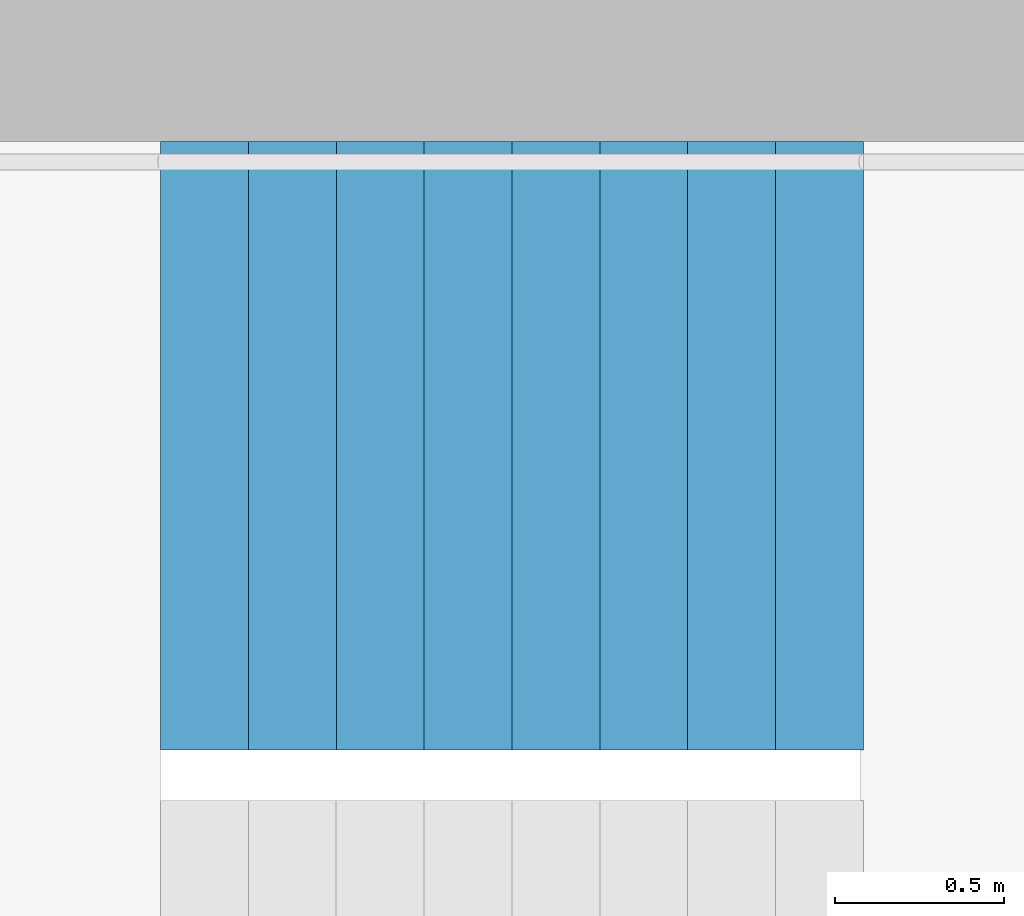
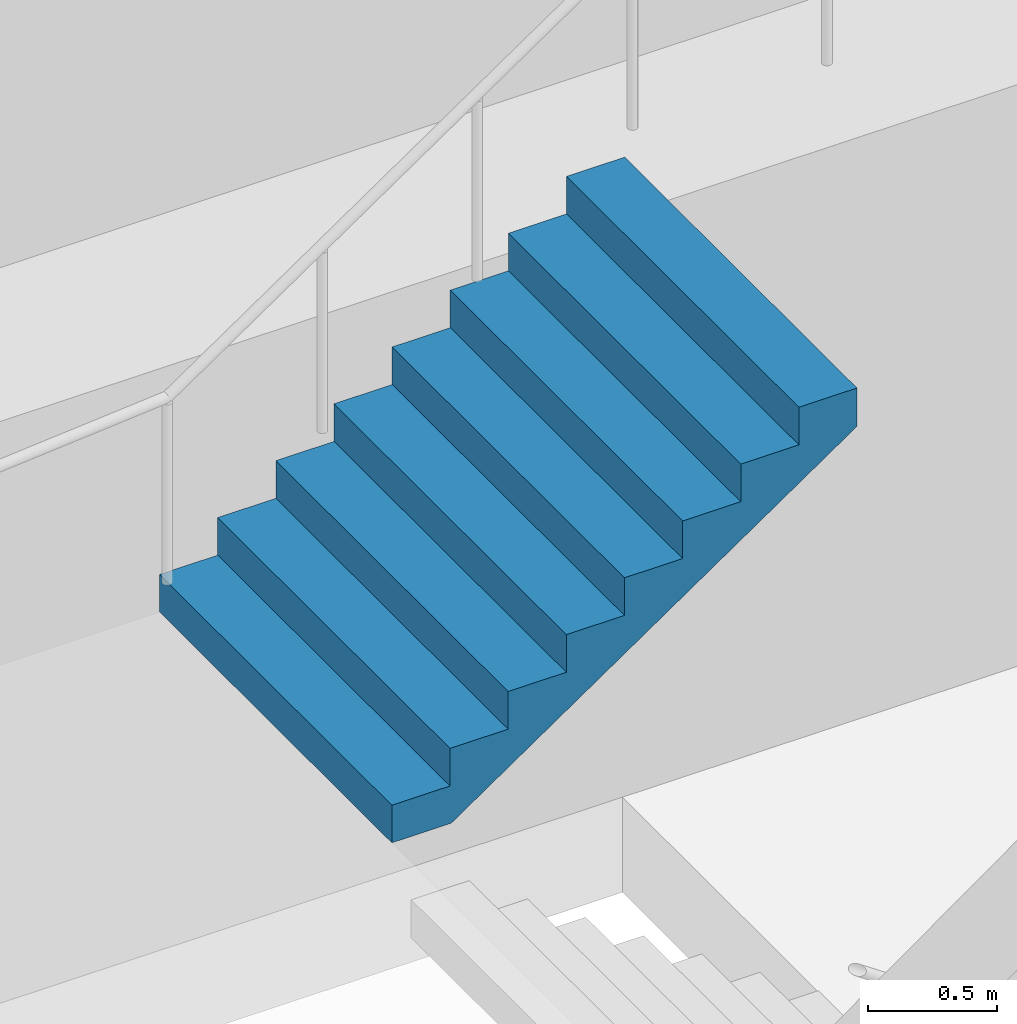
# One storey, part 25 of 26: 1 stair flight, 1 element without a shape of its own.
"""IFC4 building model written with IfcOpenShell, lengths in metres."""

import ifcopenshell
import ifcopenshell.guid

model = None  # the IFC model being written
_history = None  # IfcOwnerHistory: only IFC2X3 demands one
_inside = {}  # id of a spatial element -> (the spatial element, [elements in it])
_under = {}  # id of a project, library or spatial element -> (it, [spatial elements below it])
_declared = {}  # id of a project -> (the project, [libraries it declares])
_typed = {}  # id of a type object -> (the type object, [elements of that type])
_made_of = {}  # id of a material, layer set ... -> (it, [elements and type objects made of it])


def new_model(schema):
    """Start an empty IFC model of exactly this schema.

    Asked for "IFC4X3", IfcOpenShell would pick the latest addendum, in which some entities
    have other attributes; the version numbers below select the first issue.
    IFC2X3 requires an IfcOwnerHistory on every rooted entity: one is made here for all.
    """
    global model, _history
    if schema == "IFC4X3":
        model = ifcopenshell.file(schema_version=(4, 3, 0, 0))
    else:
        model = ifcopenshell.file(schema=schema)
    _inside.clear()
    _under.clear()
    _declared.clear()
    _typed.clear()
    _made_of.clear()
    _history = None
    if model.schema == "IFC2X3":
        org = make("IfcOrganization", Name="unknown")
        user = make(
            "IfcPersonAndOrganization",
            ThePerson=make("IfcPerson", FamilyName="unknown"),
            TheOrganization=org,
        )
        app = make(
            "IfcApplication",
            ApplicationDeveloper=org,
            Version="unknown",
            ApplicationFullName="unknown",
            ApplicationIdentifier="unknown",
        )
        _history = make(
            "IfcOwnerHistory",
            OwningUser=user,
            OwningApplication=app,
            ChangeAction="ADDED",
            CreationDate=0,
        )
    return model


def make(cls, **values):
    """One entity of the class cls with the attributes given. An attribute that is None is left unset."""
    return model.create_entity(
        cls, **{name: value for name, value in values.items() if value is not None}
    )


def rooted(cls, **values):
    """An entity with a GlobalId (a new one), such as an element, a storey or a relation."""
    return make(cls, GlobalId=ifcopenshell.guid.new(), OwnerHistory=_history, **values)


def si_unit(unit_type, name, prefix=None):
    """IfcSIUnit, for example si_unit("LENGTHUNIT", "METRE", prefix="MILLI")."""
    return make("IfcSIUnit", UnitType=unit_type, Prefix=prefix, Name=name)


def assignment(units):
    """IfcUnitAssignment: the units of a project."""
    return None if units is None else make("IfcUnitAssignment", Units=units)


def point(xyz):
    """IfcCartesianPoint."""
    return None if xyz is None else make("IfcCartesianPoint", Coordinates=xyz)


def direction(xyz):
    """IfcDirection."""
    return None if xyz is None else make("IfcDirection", DirectionRatios=xyz)


def frame(location, z_axis=None, x_axis=None):
    """IfcAxis2Placement3D, a coordinate frame: its origin and axes. An axis left out is left unset."""
    return make(
        "IfcAxis2Placement3D",
        Location=point(location),
        Axis=direction(z_axis),
        RefDirection=direction(x_axis),
    )


def origin():
    """The frame at (0, 0, 0) with its axes left unset."""
    return frame((0.0, 0.0, 0.0))


def place(relative_to, where):
    """IfcLocalPlacement: puts the frame where relative to a parent placement (None: the world)."""
    return make(
        "IfcLocalPlacement", PlacementRelTo=relative_to, RelativePlacement=where
    )


def context(
    kind, dimensions, precision=None, world=None, true_north=None, identifier=None
):
    """IfcGeometricRepresentationContext, for example the 3D "Model" context."""
    return make(
        "IfcGeometricRepresentationContext",
        ContextIdentifier=identifier,
        ContextType=kind,
        CoordinateSpaceDimension=dimensions,
        Precision=precision,
        WorldCoordinateSystem=world,
        TrueNorth=true_north,
    )


def subcontext(parent, identifier, kind, view, scale=None):
    """IfcGeometricRepresentationSubContext, for example "Body" below "Model"."""
    return make(
        "IfcGeometricRepresentationSubContext",
        ContextIdentifier=identifier,
        ContextType=kind,
        ParentContext=parent,
        TargetScale=scale,
        TargetView=view,
    )


def project(units=None, contexts=None):
    """IfcProject with its units and contexts."""
    return rooted(
        "IfcProject",
        Name="project",
        RepresentationContexts=contexts,
        UnitsInContext=assignment(units),
    )


def spatial(cls, under=None, at=None, **own):
    """A site, building, storey or space (cls), placed at a placement, below another one or the project."""
    s = rooted(cls, ObjectPlacement=at, **own)
    if under is not None:
        _under.setdefault(under.id(), (under, []))[1].append(s)
    return s


def point_list(points):
    """IfcCartesianPointList2D or 3D."""
    cls = (
        "IfcCartesianPointList2D" if len(points[0]) == 2 else "IfcCartesianPointList3D"
    )
    return make(cls, CoordList=points)


def triangles(points, corners, closed=None, point_numbers=None):
    """IfcTriangulatedFaceSet: each triangle names its three corners, points numbered from 1."""
    return make(
        "IfcTriangulatedFaceSet",
        Coordinates=point_list(points),
        Closed=closed,
        CoordIndex=corners,
        PnIndex=point_numbers,
    )


def shape(context_of_items, identifier, shape_type, items):
    """IfcShapeRepresentation: the items that make up one representation, for example the "Body"."""
    return make(
        "IfcShapeRepresentation",
        ContextOfItems=context_of_items,
        RepresentationIdentifier=identifier,
        RepresentationType=shape_type,
        Items=items,
    )


def material(Name=None, Category=None):
    """IfcMaterial."""
    return make("IfcMaterial", Name=Name, Category=Category)


def made_of(thing, what):
    """Note that an element or type object is made of a material, layer set ...; save() writes the relation."""
    if what is not None:
        _made_of.setdefault(what.id(), (what, []))[1].append(thing)
    return thing


def type_object(cls, material=None, **own):
    """A type object (cls), such as IfcWallType, which elements share."""
    return made_of(rooted(cls, **own), material)


def element(
    cls,
    number,
    at=None,
    inside=None,
    cuts=None,
    type_object=None,
    material=None,
    context=None,
    identifier="Body",
    shape_type=None,
    held_by="IfcProductDefinitionShape",
    body=None,
    shapes=None,
    **own,
):
    """One element of the class cls, such as IfcWall. Its Tag is "e" and its number.

    at: its placement. inside: the storey or other place that contains it. cuts: it is an
    opening in that element (IfcRelVoidsElement). A single representation is given by context,
    identifier, shape_type and body (its items); several are given by shapes. held_by: the class
    of the entity that holds the representations. save() writes the other relations.
    """
    e = rooted(cls, Tag="e%d" % number, ObjectPlacement=at, **own)
    if body is not None:
        shapes = [shape(context, identifier, shape_type, body)]
    if shapes is not None:
        e.Representation = make(held_by, Representations=shapes)
    if inside is not None:
        _inside.setdefault(inside.id(), (inside, []))[1].append(e)
    if cuts is not None:
        rooted(
            "IfcRelVoidsElement", RelatingBuildingElement=cuts, RelatedOpeningElement=e
        )
    if type_object is not None:
        _typed.setdefault(type_object.id(), (type_object, []))[1].append(e)
    return made_of(e, material)


def aggregate(whole, parts):
    """IfcRelAggregates: a whole, such as a stair, and the parts it consists of."""
    return rooted("IfcRelAggregates", RelatingObject=whole, RelatedObjects=parts)


def save(model, path):
    """Write the relations noted so far, then the file.

    IfcRelAggregates (storeys below a building ...), IfcRelContainedInSpatialStructure (elements
    in a storey), IfcRelDefinesByType, IfcRelAssociatesMaterial and IfcRelDeclares: one each for
    every whole, place, type object, material and project.
    """
    for whole, parts in _under.values():
        aggregate(whole, parts)
    for where, things in _inside.values():
        rooted(
            "IfcRelContainedInSpatialStructure",
            RelatedElements=things,
            RelatingStructure=where,
        )
    for kind, things in _typed.values():
        rooted("IfcRelDefinesByType", RelatedObjects=things, RelatingType=kind)
    for what, things in _made_of.values():
        rooted("IfcRelAssociatesMaterial", RelatedObjects=things, RelatingMaterial=what)
    for by, libraries in _declared.values():
        rooted("IfcRelDeclares", RelatingContext=by, RelatedDefinitions=libraries)
    model.write(path)


model = new_model("IFC4")

# Units and contexts
model_context = context("Model", 3, precision=1e-05, world=origin(), true_north=direction((0.0, 1.0)))
body_context = subcontext(model_context, "Body", "Model", "MODEL_VIEW")
ifc_project = project(units=[si_unit("LENGTHUNIT", "METRE"), si_unit("AREAUNIT", "SQUARE_METRE"), si_unit("VOLUMEUNIT", "CUBIC_METRE"), si_unit("PLANEANGLEUNIT", "RADIAN"), si_unit("MASSUNIT", "GRAM", prefix="KILO")], contexts=[model_context])

# Site, building, storey
site_placement = place(None, origin())
site = spatial("IfcSite", under=ifc_project, at=site_placement, CompositionType="ELEMENT")
building_placement = place(site_placement, origin())
building = spatial("IfcBuilding", under=site, at=building_placement, Name="Hakoniwa Tower and Hamabe Station Hall", CompositionType="ELEMENT")
storey_placement = place(building_placement, frame((0.0, 0.0, 153.39990234375)))
storey = spatial("IfcBuildingStorey", under=building, at=storey_placement, Name="L43", CompositionType="ELEMENT", Elevation=153.39990234375)

# Stair, stair flight
ifc_material_1 = material(Name="Concrete C40", Category="concrete")
stair_type = type_object("IfcStairType", Name="ESCAPE STAIR 1800", PredefinedType="HALF_TURN_STAIR", material=ifc_material_1)
stair_placement = place(storey_placement, origin())
stair = element("IfcStair", 1, at=stair_placement, inside=storey, type_object=stair_type, Name="Escape stair ST-3 L43", PredefinedType="HALF_TURN_STAIR")
ifc_material_2 = material(Name="Concrete C40", Category="concrete")
stair_flight_type = type_object("IfcStairFlightType", Name="STAIR FLIGHT 1800", PredefinedType="STRAIGHT", material=ifc_material_2)
stair_flight_placement = place(storey_placement, frame((22.320068359375, 6.60009765625, 1.60009765625), z_axis=(0.0, 0.0, 1.0), x_axis=(1.0, 0.0, 0.0)))
stair_flight = element("IfcStairFlight", 2, at=stair_flight_placement, type_object=stair_flight_type, Name="ST-3 flight 2", NumberOfRisers=9, NumberOfTreads=8, PredefinedType="STRAIGHT", RiserHeight=0.177777778, TreadLength=0.26, context=body_context, shape_type="Tessellation", body=[
    triangles([(0.0, 0.89990234375, 0.0), (0.260009765625, 0.89990234375, 0.0), (0.265625, 0.89990234375, 0.0), (0.52001953125, 0.89990234375, 0.174072265625), (0.780029296875, 0.89990234375, 0.351806640625), (1.0400390625, 0.89990234375, 0.529541015625), (1.300048828125, 0.89990234375, 0.707275390625), (1.56005859375, 0.89990234375, 0.885009765625), (1.820068359375, 0.89990234375, 1.062744140625), (2.080078125, 0.89990234375, 1.24072265625), (2.080078125, 0.89990234375, 1.422119140625), (1.820068359375, 0.89990234375, 1.422119140625), (1.820068359375, 0.89990234375, 1.244384765625), (1.56005859375, 0.89990234375, 1.244384765625), (1.56005859375, 0.89990234375, 1.066650390625), (1.300048828125, 0.89990234375, 1.066650390625), (1.300048828125, 0.89990234375, 0.888916015625), (1.0400390625, 0.89990234375, 0.888916015625), (1.0400390625, 0.89990234375, 0.711181640625), (0.780029296875, 0.89990234375, 0.711181640625), (0.780029296875, 0.89990234375, 0.533447265625), (0.52001953125, 0.89990234375, 0.533447265625), (0.52001953125, 0.89990234375, 0.35546875), (0.265625, 0.89990234375, 0.35546875), (0.260009765625, 0.89990234375, 0.35546875), (0.260009765625, 0.89990234375, 0.177734375), (0.0, 0.89990234375, 0.177734375), (0.0, 0.06005859375, 0.0), (0.260009765625, 0.06005859375, 0.0), (0.265625, 0.06005859375, 0.0), (0.52001953125, 0.06005859375, 0.174072265625), (0.780029296875, 0.06005859375, 0.351806640625), (1.0400390625, 0.06005859375, 0.529541015625), (1.300048828125, 0.06005859375, 0.707275390625), (1.56005859375, 0.06005859375, 0.885009765625), (1.820068359375, 0.06005859375, 1.062744140625), (2.080078125, 0.06005859375, 1.24072265625), (2.080078125, 0.06005859375, 1.422119140625), (1.820068359375, 0.06005859375, 1.422119140625), (1.820068359375, 0.06005859375, 1.244384765625), (1.56005859375, 0.06005859375, 1.244384765625), (1.56005859375, 0.06005859375, 1.066650390625), (1.300048828125, 0.06005859375, 1.066650390625), (1.300048828125, 0.06005859375, 0.888916015625), (1.0400390625, 0.06005859375, 0.888916015625), (1.0400390625, 0.06005859375, 0.711181640625), (0.780029296875, 0.06005859375, 0.711181640625), (0.780029296875, 0.06005859375, 0.533447265625), (0.52001953125, 0.06005859375, 0.533447265625), (0.52001953125, 0.06005859375, 0.35546875), (0.265625, 0.06005859375, 0.35546875), (0.260009765625, 0.06005859375, 0.35546875), (0.260009765625, 0.06005859375, 0.177734375), (0.0, 0.06005859375, 0.177734375), (0.0, 0.04296875, 0.0), (0.260009765625, 0.04296875, 0.0), (0.265625, 0.04296875, 0.0), (0.52001953125, 0.04296875, 0.174072265625), (0.780029296875, 0.04296875, 0.351806640625), (1.0400390625, 0.04296875, 0.529541015625), (1.300048828125, 0.04296875, 0.707275390625), (1.56005859375, 0.04296875, 0.885009765625), (1.820068359375, 0.04296875, 1.062744140625), (2.080078125, 0.04296875, 1.24072265625), (2.080078125, 0.04296875, 1.422119140625), (1.820068359375, 0.04296875, 1.422119140625), (1.820068359375, 0.04296875, 1.244384765625), (1.56005859375, 0.04296875, 1.244384765625), (1.56005859375, 0.04296875, 1.066650390625), (1.300048828125, 0.04296875, 1.066650390625), (1.300048828125, 0.04296875, 0.888916015625), (1.0400390625, 0.04296875, 0.888916015625), (1.0400390625, 0.04296875, 0.711181640625), (0.780029296875, 0.04296875, 0.711181640625), (0.780029296875, 0.04296875, 0.533447265625), (0.52001953125, 0.04296875, 0.533447265625), (0.52001953125, 0.04296875, 0.35546875), (0.265625, 0.04296875, 0.35546875), (0.260009765625, 0.04296875, 0.35546875), (0.260009765625, 0.04296875, 0.177734375), (0.0, 0.04296875, 0.177734375), (0.0, 0.025634765625, 0.0), (0.260009765625, 0.025634765625, 0.0), (0.265625, 0.025634765625, 0.0), (0.52001953125, 0.025634765625, 0.174072265625), (0.780029296875, 0.025634765625, 0.351806640625), (1.0400390625, 0.025634765625, 0.529541015625), (1.300048828125, 0.025634765625, 0.707275390625), (1.56005859375, 0.025634765625, 0.885009765625), (1.820068359375, 0.025634765625, 1.062744140625), (2.080078125, 0.025634765625, 1.24072265625), (2.080078125, 0.025634765625, 1.422119140625), (1.820068359375, 0.025634765625, 1.422119140625), (1.820068359375, 0.025634765625, 1.244384765625), (1.56005859375, 0.025634765625, 1.244384765625), (1.56005859375, 0.025634765625, 1.066650390625), (1.300048828125, 0.025634765625, 1.066650390625), (1.300048828125, 0.025634765625, 0.888916015625), (1.0400390625, 0.025634765625, 0.888916015625), (1.0400390625, 0.025634765625, 0.711181640625), (0.780029296875, 0.025634765625, 0.711181640625), (0.780029296875, 0.025634765625, 0.533447265625), (0.52001953125, 0.025634765625, 0.533447265625), (0.52001953125, 0.025634765625, 0.35546875), (0.265625, 0.025634765625, 0.35546875), (0.260009765625, 0.025634765625, 0.35546875), (0.260009765625, 0.025634765625, 0.177734375), (0.0, 0.025634765625, 0.177734375), (0.0, 0.008544921875, 0.0), (0.260009765625, 0.008544921875, 0.0), (0.265625, 0.008544921875, 0.0), (0.52001953125, 0.008544921875, 0.174072265625), (0.780029296875, 0.008544921875, 0.351806640625), (1.0400390625, 0.008544921875, 0.529541015625), (1.300048828125, 0.008544921875, 0.707275390625), (1.56005859375, 0.008544921875, 0.885009765625), (1.820068359375, 0.008544921875, 1.062744140625), (2.080078125, 0.008544921875, 1.24072265625), (2.080078125, 0.008544921875, 1.422119140625), (1.820068359375, 0.008544921875, 1.422119140625), (1.820068359375, 0.008544921875, 1.244384765625), (1.56005859375, 0.008544921875, 1.244384765625), (1.56005859375, 0.008544921875, 1.066650390625), (1.300048828125, 0.008544921875, 1.066650390625), (1.300048828125, 0.008544921875, 0.888916015625), (1.0400390625, 0.008544921875, 0.888916015625), (1.0400390625, 0.008544921875, 0.711181640625), (0.780029296875, 0.008544921875, 0.711181640625), (0.780029296875, 0.008544921875, 0.533447265625), (0.52001953125, 0.008544921875, 0.533447265625), (0.52001953125, 0.008544921875, 0.35546875), (0.265625, 0.008544921875, 0.35546875), (0.260009765625, 0.008544921875, 0.35546875), (0.260009765625, 0.008544921875, 0.177734375), (0.0, 0.008544921875, 0.177734375), (0.0, -0.008544921875, 0.0), (0.260009765625, -0.008544921875, 0.0), (0.265625, -0.008544921875, 0.0), (0.52001953125, -0.008544921875, 0.174072265625), (0.780029296875, -0.008544921875, 0.351806640625), (1.0400390625, -0.008544921875, 0.529541015625), (1.300048828125, -0.008544921875, 0.707275390625), (1.56005859375, -0.008544921875, 0.885009765625), (1.820068359375, -0.008544921875, 1.062744140625), (2.080078125, -0.008544921875, 1.24072265625), (2.080078125, -0.008544921875, 1.422119140625), (1.820068359375, -0.008544921875, 1.422119140625), (1.820068359375, -0.008544921875, 1.244384765625), (1.56005859375, -0.008544921875, 1.244384765625), (1.56005859375, -0.008544921875, 1.066650390625), (1.300048828125, -0.008544921875, 1.066650390625), (1.300048828125, -0.008544921875, 0.888916015625), (1.0400390625, -0.008544921875, 0.888916015625), (1.0400390625, -0.008544921875, 0.711181640625), (0.780029296875, -0.008544921875, 0.711181640625), (0.780029296875, -0.008544921875, 0.533447265625), (0.52001953125, -0.008544921875, 0.533447265625), (0.52001953125, -0.008544921875, 0.35546875), (0.265625, -0.008544921875, 0.35546875), (0.260009765625, -0.008544921875, 0.35546875), (0.260009765625, -0.008544921875, 0.177734375), (0.0, -0.008544921875, 0.177734375), (0.0, -0.025634765625, 0.0), (0.260009765625, -0.025634765625, 0.0), (0.265625, -0.025634765625, 0.0), (0.52001953125, -0.025634765625, 0.174072265625), (0.780029296875, -0.025634765625, 0.351806640625), (1.0400390625, -0.025634765625, 0.529541015625), (1.300048828125, -0.025634765625, 0.707275390625), (1.56005859375, -0.025634765625, 0.885009765625), (1.820068359375, -0.025634765625, 1.062744140625), (2.080078125, -0.025634765625, 1.24072265625), (2.080078125, -0.025634765625, 1.422119140625), (1.820068359375, -0.025634765625, 1.422119140625), (1.820068359375, -0.025634765625, 1.244384765625), (1.56005859375, -0.025634765625, 1.244384765625), (1.56005859375, -0.025634765625, 1.066650390625), (1.300048828125, -0.025634765625, 1.066650390625), (1.300048828125, -0.025634765625, 0.888916015625), (1.0400390625, -0.025634765625, 0.888916015625), (1.0400390625, -0.025634765625, 0.711181640625), (0.780029296875, -0.025634765625, 0.711181640625), (0.780029296875, -0.025634765625, 0.533447265625), (0.52001953125, -0.025634765625, 0.533447265625), (0.52001953125, -0.025634765625, 0.35546875), (0.265625, -0.025634765625, 0.35546875), (0.260009765625, -0.025634765625, 0.35546875), (0.260009765625, -0.025634765625, 0.177734375), (0.0, -0.025634765625, 0.177734375), (0.0, -0.04296875, 0.0), (0.260009765625, -0.04296875, 0.0), (0.265625, -0.04296875, 0.0), (0.52001953125, -0.04296875, 0.174072265625), (0.780029296875, -0.04296875, 0.351806640625), (1.0400390625, -0.04296875, 0.529541015625), (1.300048828125, -0.04296875, 0.707275390625), (1.56005859375, -0.04296875, 0.885009765625), (1.820068359375, -0.04296875, 1.062744140625), (2.080078125, -0.04296875, 1.24072265625), (2.080078125, -0.04296875, 1.422119140625), (1.820068359375, -0.04296875, 1.422119140625), (1.820068359375, -0.04296875, 1.244384765625), (1.56005859375, -0.04296875, 1.244384765625), (1.56005859375, -0.04296875, 1.066650390625), (1.300048828125, -0.04296875, 1.066650390625), (1.300048828125, -0.04296875, 0.888916015625), (1.0400390625, -0.04296875, 0.888916015625), (1.0400390625, -0.04296875, 0.711181640625), (0.780029296875, -0.04296875, 0.711181640625), (0.780029296875, -0.04296875, 0.533447265625), (0.52001953125, -0.04296875, 0.533447265625), (0.52001953125, -0.04296875, 0.35546875), (0.265625, -0.04296875, 0.35546875), (0.260009765625, -0.04296875, 0.35546875), (0.260009765625, -0.04296875, 0.177734375), (0.0, -0.04296875, 0.177734375), (0.0, -0.06005859375, 0.0), (0.260009765625, -0.06005859375, 0.0), (0.265625, -0.06005859375, 0.0), (0.52001953125, -0.06005859375, 0.174072265625), (0.780029296875, -0.06005859375, 0.351806640625), (1.0400390625, -0.06005859375, 0.529541015625), (1.300048828125, -0.06005859375, 0.707275390625), (1.56005859375, -0.06005859375, 0.885009765625), (1.820068359375, -0.06005859375, 1.062744140625), (2.080078125, -0.06005859375, 1.24072265625), (2.080078125, -0.06005859375, 1.422119140625), (1.820068359375, -0.06005859375, 1.422119140625), (1.820068359375, -0.06005859375, 1.244384765625), (1.56005859375, -0.06005859375, 1.244384765625), (1.56005859375, -0.06005859375, 1.066650390625), (1.300048828125, -0.06005859375, 1.066650390625), (1.300048828125, -0.06005859375, 0.888916015625), (1.0400390625, -0.06005859375, 0.888916015625), (1.0400390625, -0.06005859375, 0.711181640625), (0.780029296875, -0.06005859375, 0.711181640625), (0.780029296875, -0.06005859375, 0.533447265625), (0.52001953125, -0.06005859375, 0.533447265625), (0.52001953125, -0.06005859375, 0.35546875), (0.265625, -0.06005859375, 0.35546875), (0.260009765625, -0.06005859375, 0.35546875), (0.260009765625, -0.06005859375, 0.177734375), (0.0, -0.06005859375, 0.177734375), (0.0, -0.89990234375, 0.0), (0.260009765625, -0.89990234375, 0.0), (0.265625, -0.89990234375, 0.0), (0.52001953125, -0.89990234375, 0.174072265625), (0.780029296875, -0.89990234375, 0.351806640625), (1.0400390625, -0.89990234375, 0.529541015625), (1.300048828125, -0.89990234375, 0.707275390625), (1.56005859375, -0.89990234375, 0.885009765625), (1.820068359375, -0.89990234375, 1.062744140625), (2.080078125, -0.89990234375, 1.24072265625), (2.080078125, -0.89990234375, 1.422119140625), (1.820068359375, -0.89990234375, 1.422119140625), (1.820068359375, -0.89990234375, 1.244384765625), (1.56005859375, -0.89990234375, 1.244384765625), (1.56005859375, -0.89990234375, 1.066650390625), (1.300048828125, -0.89990234375, 1.066650390625), (1.300048828125, -0.89990234375, 0.888916015625), (1.0400390625, -0.89990234375, 0.888916015625), (1.0400390625, -0.89990234375, 0.711181640625), (0.780029296875, -0.89990234375, 0.711181640625), (0.780029296875, -0.89990234375, 0.533447265625), (0.52001953125, -0.89990234375, 0.533447265625), (0.52001953125, -0.89990234375, 0.35546875), (0.265625, -0.89990234375, 0.35546875), (0.260009765625, -0.89990234375, 0.35546875), (0.260009765625, -0.89990234375, 0.177734375), (0.0, -0.89990234375, 0.177734375)], [[2, 27, 26], [245, 269, 270], [2, 1, 27], [245, 270, 244], [3, 25, 24], [246, 267, 268], [3, 26, 25], [246, 268, 269], [3, 2, 26], [246, 269, 245], [4, 24, 23], [247, 266, 267], [4, 3, 24], [247, 267, 246], [5, 22, 21], [248, 264, 265], [5, 23, 22], [248, 265, 266], [5, 4, 23], [248, 266, 247], [6, 20, 19], [249, 262, 263], [6, 21, 20], [249, 263, 264], [6, 5, 21], [249, 264, 248], [7, 18, 17], [250, 260, 261], [7, 19, 18], [250, 261, 262], [7, 6, 19], [250, 262, 249], [8, 16, 15], [251, 258, 259], [8, 17, 16], [251, 259, 260], [8, 7, 17], [251, 260, 250], [9, 14, 13], [252, 256, 257], [9, 15, 14], [252, 257, 258], [9, 8, 15], [252, 258, 251], [10, 12, 11], [253, 254, 255], [10, 13, 12], [253, 255, 256], [10, 9, 13], [253, 256, 252], [1, 2, 29], [1, 29, 28], [28, 29, 56], [28, 56, 55], [55, 56, 83], [55, 83, 82], [82, 83, 110], [82, 110, 109], [109, 110, 137], [109, 137, 136], [136, 137, 164], [136, 164, 163], [163, 164, 191], [163, 191, 190], [190, 191, 218], [190, 218, 217], [217, 218, 245], [217, 245, 244], [2, 3, 30], [2, 30, 29], [29, 30, 57], [29, 57, 56], [56, 57, 84], [56, 84, 83], [83, 84, 111], [83, 111, 110], [110, 111, 138], [110, 138, 137], [137, 138, 165], [137, 165, 164], [164, 165, 192], [164, 192, 191], [191, 192, 219], [191, 219, 218], [218, 219, 246], [218, 246, 245], [3, 4, 31], [3, 31, 30], [30, 31, 58], [30, 58, 57], [57, 58, 85], [57, 85, 84], [84, 85, 112], [84, 112, 111], [111, 112, 139], [111, 139, 138], [138, 139, 166], [138, 166, 165], [165, 166, 193], [165, 193, 192], [192, 193, 220], [192, 220, 219], [219, 220, 247], [219, 247, 246], [4, 5, 32], [4, 32, 31], [31, 32, 59], [31, 59, 58], [58, 59, 86], [58, 86, 85], [85, 86, 113], [85, 113, 112], [112, 113, 140], [112, 140, 139], [139, 140, 167], [139, 167, 166], [166, 167, 194], [166, 194, 193], [193, 194, 221], [193, 221, 220], [220, 221, 248], [220, 248, 247], [5, 6, 33], [5, 33, 32], [32, 33, 60], [32, 60, 59], [59, 60, 87], [59, 87, 86], [86, 87, 114], [86, 114, 113], [113, 114, 141], [113, 141, 140], [140, 141, 168], [140, 168, 167], [167, 168, 195], [167, 195, 194], [194, 195, 222], [194, 222, 221], [221, 222, 249], [221, 249, 248], [6, 7, 34], [6, 34, 33], [33, 34, 61], [33, 61, 60], [60, 61, 88], [60, 88, 87], [87, 88, 115], [87, 115, 114], [114, 115, 142], [114, 142, 141], [141, 142, 169], [141, 169, 168], [168, 169, 196], [168, 196, 195], [195, 196, 223], [195, 223, 222], [222, 223, 250], [222, 250, 249], [7, 8, 35], [7, 35, 34], [34, 35, 62], [34, 62, 61], [61, 62, 89], [61, 89, 88], [88, 89, 116], [88, 116, 115], [115, 116, 143], [115, 143, 142], [142, 143, 170], [142, 170, 169], [169, 170, 197], [169, 197, 196], [196, 197, 224], [196, 224, 223], [223, 224, 251], [223, 251, 250], [8, 9, 36], [8, 36, 35], [35, 36, 63], [35, 63, 62], [62, 63, 90], [62, 90, 89], [89, 90, 117], [89, 117, 116], [116, 117, 144], [116, 144, 143], [143, 144, 171], [143, 171, 170], [170, 171, 198], [170, 198, 197], [197, 198, 225], [197, 225, 224], [224, 225, 252], [224, 252, 251], [9, 10, 37], [9, 37, 36], [36, 37, 64], [36, 64, 63], [63, 64, 91], [63, 91, 90], [90, 91, 118], [90, 118, 117], [117, 118, 145], [117, 145, 144], [144, 145, 172], [144, 172, 171], [171, 172, 199], [171, 199, 198], [198, 199, 226], [198, 226, 225], [225, 226, 253], [225, 253, 252], [10, 11, 38], [10, 38, 37], [37, 38, 65], [37, 65, 64], [64, 65, 92], [64, 92, 91], [91, 92, 119], [91, 119, 118], [118, 119, 146], [118, 146, 145], [145, 146, 173], [145, 173, 172], [172, 173, 200], [172, 200, 199], [199, 200, 227], [199, 227, 226], [226, 227, 254], [226, 254, 253], [11, 12, 39], [11, 39, 38], [38, 39, 66], [38, 66, 65], [65, 66, 93], [65, 93, 92], [92, 93, 120], [92, 120, 119], [119, 120, 147], [119, 147, 146], [146, 147, 174], [146, 174, 173], [173, 174, 201], [173, 201, 200], [200, 201, 228], [200, 228, 227], [227, 228, 255], [227, 255, 254], [12, 13, 40], [12, 40, 39], [39, 40, 67], [39, 67, 66], [66, 67, 94], [66, 94, 93], [93, 94, 121], [93, 121, 120], [120, 121, 148], [120, 148, 147], [147, 148, 175], [147, 175, 174], [174, 175, 202], [174, 202, 201], [201, 202, 229], [201, 229, 228], [228, 229, 256], [228, 256, 255], [13, 14, 41], [13, 41, 40], [40, 41, 68], [40, 68, 67], [67, 68, 95], [67, 95, 94], [94, 95, 122], [94, 122, 121], [121, 122, 149], [121, 149, 148], [148, 149, 176], [148, 176, 175], [175, 176, 203], [175, 203, 202], [202, 203, 230], [202, 230, 229], [229, 230, 257], [229, 257, 256], [14, 15, 42], [14, 42, 41], [41, 42, 69], [41, 69, 68], [68, 69, 96], [68, 96, 95], [95, 96, 123], [95, 123, 122], [122, 123, 150], [122, 150, 149], [149, 150, 177], [149, 177, 176], [176, 177, 204], [176, 204, 203], [203, 204, 231], [203, 231, 230], [230, 231, 258], [230, 258, 257], [15, 16, 43], [15, 43, 42], [42, 43, 70], [42, 70, 69], [69, 70, 97], [69, 97, 96], [96, 97, 124], [96, 124, 123], [123, 124, 151], [123, 151, 150], [150, 151, 178], [150, 178, 177], [177, 178, 205], [177, 205, 204], [204, 205, 232], [204, 232, 231], [231, 232, 259], [231, 259, 258], [16, 17, 44], [16, 44, 43], [43, 44, 71], [43, 71, 70], [70, 71, 98], [70, 98, 97], [97, 98, 125], [97, 125, 124], [124, 125, 152], [124, 152, 151], [151, 152, 179], [151, 179, 178], [178, 179, 206], [178, 206, 205], [205, 206, 233], [205, 233, 232], [232, 233, 260], [232, 260, 259], [17, 18, 45], [17, 45, 44], [44, 45, 72], [44, 72, 71], [71, 72, 99], [71, 99, 98], [98, 99, 126], [98, 126, 125], [125, 126, 153], [125, 153, 152], [152, 153, 180], [152, 180, 179], [179, 180, 207], [179, 207, 206], [206, 207, 234], [206, 234, 233], [233, 234, 261], [233, 261, 260], [18, 19, 46], [18, 46, 45], [45, 46, 73], [45, 73, 72], [72, 73, 100], [72, 100, 99], [99, 100, 127], [99, 127, 126], [126, 127, 154], [126, 154, 153], [153, 154, 181], [153, 181, 180], [180, 181, 208], [180, 208, 207], [207, 208, 235], [207, 235, 234], [234, 235, 262], [234, 262, 261], [19, 20, 47], [19, 47, 46], [46, 47, 74], [46, 74, 73], [73, 74, 101], [73, 101, 100], [100, 101, 128], [100, 128, 127], [127, 128, 155], [127, 155, 154], [154, 155, 182], [154, 182, 181], [181, 182, 209], [181, 209, 208], [208, 209, 236], [208, 236, 235], [235, 236, 263], [235, 263, 262], [20, 21, 48], [20, 48, 47], [47, 48, 75], [47, 75, 74], [74, 75, 102], [74, 102, 101], [101, 102, 129], [101, 129, 128], [128, 129, 156], [128, 156, 155], [155, 156, 183], [155, 183, 182], [182, 183, 210], [182, 210, 209], [209, 210, 237], [209, 237, 236], [236, 237, 264], [236, 264, 263], [21, 22, 49], [21, 49, 48], [48, 49, 76], [48, 76, 75], [75, 76, 103], [75, 103, 102], [102, 103, 130], [102, 130, 129], [129, 130, 157], [129, 157, 156], [156, 157, 184], [156, 184, 183], [183, 184, 211], [183, 211, 210], [210, 211, 238], [210, 238, 237], [237, 238, 265], [237, 265, 264], [22, 23, 50], [22, 50, 49], [49, 50, 77], [49, 77, 76], [76, 77, 104], [76, 104, 103], [103, 104, 131], [103, 131, 130], [130, 131, 158], [130, 158, 157], [157, 158, 185], [157, 185, 184], [184, 185, 212], [184, 212, 211], [211, 212, 239], [211, 239, 238], [238, 239, 266], [238, 266, 265], [23, 24, 51], [23, 51, 50], [50, 51, 78], [50, 78, 77], [77, 78, 105], [77, 105, 104], [104, 105, 132], [104, 132, 131], [131, 132, 159], [131, 159, 158], [158, 159, 186], [158, 186, 185], [185, 186, 213], [185, 213, 212], [212, 213, 240], [212, 240, 239], [239, 240, 267], [239, 267, 266], [24, 25, 52], [24, 52, 51], [51, 52, 79], [51, 79, 78], [78, 79, 106], [78, 106, 105], [105, 106, 133], [105, 133, 132], [132, 133, 160], [132, 160, 159], [159, 160, 187], [159, 187, 186], [186, 187, 214], [186, 214, 213], [213, 214, 241], [213, 241, 240], [240, 241, 268], [240, 268, 267], [25, 26, 53], [25, 53, 52], [52, 53, 80], [52, 80, 79], [79, 80, 107], [79, 107, 106], [106, 107, 134], [106, 134, 133], [133, 134, 161], [133, 161, 160], [160, 161, 188], [160, 188, 187], [187, 188, 215], [187, 215, 214], [214, 215, 242], [214, 242, 241], [241, 242, 269], [241, 269, 268], [26, 27, 54], [26, 54, 53], [53, 54, 81], [53, 81, 80], [80, 81, 108], [80, 108, 107], [107, 108, 135], [107, 135, 134], [134, 135, 162], [134, 162, 161], [161, 162, 189], [161, 189, 188], [188, 189, 216], [188, 216, 215], [215, 216, 243], [215, 243, 242], [242, 243, 270], [242, 270, 269], [27, 1, 28], [27, 28, 54], [54, 28, 55], [54, 55, 81], [81, 55, 82], [81, 82, 108], [108, 82, 109], [108, 109, 135], [135, 109, 136], [135, 136, 162], [162, 136, 163], [162, 163, 189], [189, 163, 190], [189, 190, 216], [216, 190, 217], [216, 217, 243], [243, 217, 244], [243, 244, 270]], closed=True),
])
aggregate(stair, [stair_flight])

save(model, "model.ifc")
